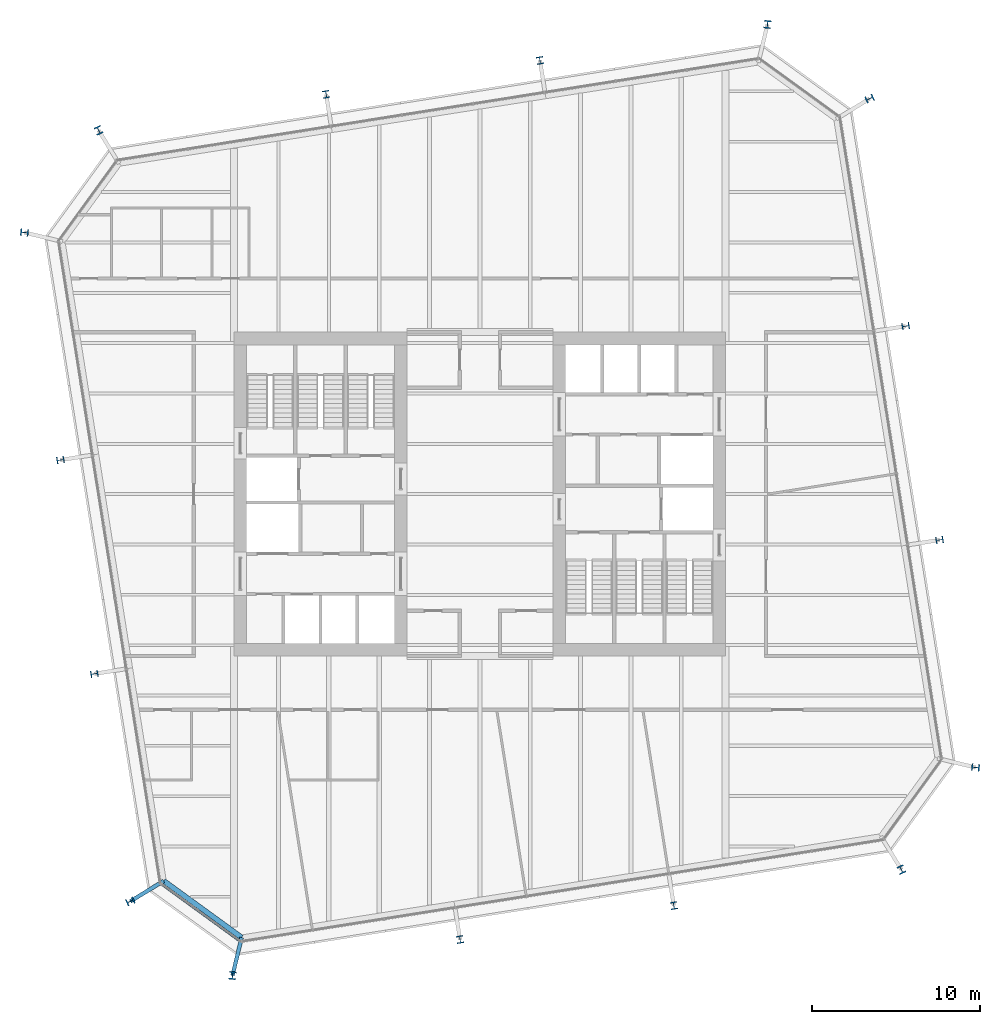
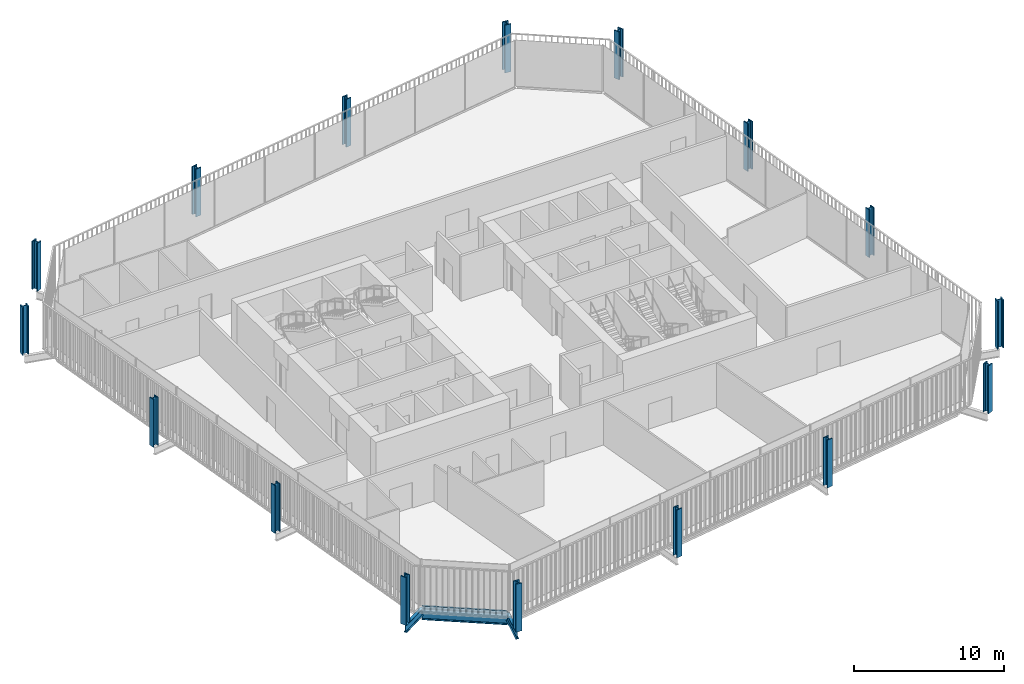
# One storey, part 1 of 21: 16 columns, 3 beams, 1 member, 1 element without a shape of its own.
"""IFC4 building model written with IfcOpenShell, lengths in metres."""

from ifc_helpers import new_model, si_unit, direction, frame, origin, origin_2d, place, context, subcontext, project, spatial, rectangle, i_section, extrude, material, layer, layer_set, material_profile, profile_set, type_object, element, aggregate, save


model = new_model("IFC4")

# Units and contexts
model_context = context("Model", 3, precision=1e-05, world=origin(), true_north=direction((0.0, 1.0)))
body_context = subcontext(model_context, "Body", "Model", "MODEL_VIEW")
ifc_project = project(units=[si_unit("LENGTHUNIT", "METRE"), si_unit("AREAUNIT", "SQUARE_METRE"), si_unit("VOLUMEUNIT", "CUBIC_METRE"), si_unit("PLANEANGLEUNIT", "RADIAN"), si_unit("MASSUNIT", "GRAM", prefix="KILO")], contexts=[model_context])

# Site, building, storey
site_placement = place(None, origin())
site = spatial("IfcSite", under=ifc_project, at=site_placement, CompositionType="ELEMENT")
building_placement = place(site_placement, origin())
building = spatial("IfcBuilding", under=site, at=building_placement, Name="Millrace Tower", CompositionType="ELEMENT")
storey_placement = place(building_placement, frame((0.0, 0.0, 191.699951171875)))
storey = spatial("IfcBuildingStorey", under=building, at=storey_placement, Name="L43", CompositionType="ELEMENT", Elevation=191.699951171875)

# Columns
ifc_material_1 = material(Name="Steel ASTM A913 Grade 65", Category="steel")
ifc_material_profile_1 = material_profile(ifc_material_1, i_section(OverallWidth=0.419189453125, OverallDepth=0.45458984375, WebThickness=0.042236328125, FlangeThickness=0.067626953125, FilletRadius=0.01513671875, at=origin_2d()))
ifc_profile_set_1 = profile_set([ifc_material_profile_1], Name="Steel ASTM A913 Grade 65")
column_type_1 = type_object("IfcColumnType", Name="Exoskeleton column W14x370", PredefinedType="COLUMN", material=ifc_profile_set_1)
for number, where, z_axis, x_axis, name in (
    (1, (-1.181396484375, -26.545166015625, 0.0), (0.0, 0.0, 1.0), (0.987688339156, 0.156434474125, 0.0), "COL-C-L43-X03"),
    (2, (11.5595703125, -24.527099609375, 0.0), (0.0, 0.0, 1.0), (0.987688338239, 0.156434479917, 0.0), "COL-C-L43-X04"),
    (3, (27.39501953125, -2.7314453125, 0.0), (0.0, 0.0, 1.0), (-0.156434474125, 0.987688339156, 0.0), "COL-C-L43-X07"),
    (4, (25.376953125, 10.009765625, 0.0), (0.0, 0.0, 1.0), (-0.156434479917, 0.987688338239, 0.0), "COL-C-L43-X08"),
    (5, (3.58154296875, 25.844970703125, 0.0), (0.0, 0.0, 1.0), (-0.987688339156, -0.156434474125, 0.0), "COL-C-L43-X11"),
    (6, (-9.15966796875, 23.8271484375, 0.0), (0.0, 0.0, 1.0), (-0.987688338239, -0.156434479917, 0.0), "COL-C-L43-X12"),
    (7, (-24.9951171875, 2.031494140625, 0.0), (0.0, 0.0, 1.0), (0.156434474125, -0.987688339156, 0.0), "COL-C-L43-X15"),
    (8, (-22.97705078125, -10.709716796875, 0.0), (0.0, 0.0, 1.0), (0.156434479917, -0.987688338239, 0.0), "COL-C-L43-X16"),
):
    element("IfcColumn", number, at=place(storey_placement, frame(where, z_axis=z_axis, x_axis=x_axis)), inside=storey, type_object=column_type_1, Name=name, PredefinedType="COLUMN", context=body_context, shape_type="SweptSolid", body=[
        extrude(i_section(OverallWidth=0.419189453125, OverallDepth=0.45458984375, WebThickness=0.042236328125, FlangeThickness=0.067626953125, FilletRadius=0.01513671875, at=origin_2d()), origin(), (0.0, 0.0, 1.0), 3.900146484375),
    ])
ifc_material_2 = material(Name="Steel ASTM A913 Grade 65", Category="steel")
ifc_material_profile_2 = material_profile(ifc_material_2, i_section(OverallWidth=0.4267578125, OverallDepth=0.482666015625, WebThickness=0.05126953125, FlangeThickness=0.08154296875, FilletRadius=0.01513671875, at=origin_2d()))
ifc_profile_set_2 = profile_set([ifc_material_profile_2], Name="Steel ASTM A913 Grade 65")
column_type_2 = type_object("IfcColumnType", Name="Exoskeleton column W14x455", PredefinedType="COLUMN", material=ifc_profile_set_2)
for number, where, z_axis, x_axis, name in (
    (9, (-20.829345703125, -24.26904296875, 0.0), (0.0, 0.0, 1.0), (0.416401106568, -0.909181015227, 0.0), "COL-C-L43-X01"),
    (10, (-14.740966796875, -28.692626953125, 0.0), (0.0, 0.0, 1.0), (0.993357548409, -0.115068592665, 0.0), "COL-C-L43-X02"),
    (11, (25.119140625, -22.37939453125, 0.0), (0.0, 0.0, 1.0), (0.909181015227, 0.416401106568, 0.0), "COL-C-L43-X05"),
    (12, (29.542724609375, -16.291015625, 0.0), (0.0, 0.0, 1.0), (0.115068592665, 0.993357548409, 0.0), "COL-C-L43-X06"),
    (13, (23.2294921875, 23.569091796875, 0.0), (0.0, 0.0, 1.0), (-0.416401106568, 0.909181015227, 0.0), "COL-C-L43-X09"),
    (14, (17.140869140625, 27.99267578125, 0.0), (0.0, 0.0, 1.0), (-0.993357548409, 0.115068592665, 0.0), "COL-C-L43-X10"),
    (15, (-22.718994140625, 21.679443359375, 0.0), (0.0, 0.0, 1.0), (-0.909181015227, -0.416401106568, 0.0), "COL-C-L43-X13"),
    (16, (-27.142578125, 15.5908203125, 0.0), (0.0, 0.0, 1.0), (-0.115068592665, -0.993357548409, 0.0), "COL-C-L43-X14"),
):
    element("IfcColumn", number, at=place(storey_placement, frame(where, z_axis=z_axis, x_axis=x_axis)), inside=storey, type_object=column_type_2, Name=name, PredefinedType="COLUMN", context=body_context, shape_type="SweptSolid", body=[
        extrude(i_section(OverallWidth=0.4267578125, OverallDepth=0.482666015625, WebThickness=0.05126953125, FlangeThickness=0.08154296875, FilletRadius=0.01513671875, at=origin_2d()), origin(), (0.0, 0.0, 1.0), 3.900146484375),
    ])

# Curtain wall, member
ifc_material_3 = material(Name="Aluminium and glass", Category="aluminium")
ifc_layer = layer(ifc_material_3, 0.14990234375)
ifc_layer_set = layer_set([ifc_layer], Name="Aluminium and glass")
curtain_wall_type = type_object("IfcCurtainWallType", Name="CW-1 office vision curtain wall", PredefinedType="NOTDEFINED", material=ifc_layer_set)
curtain_wall_placement = place(storey_placement, origin())
curtain_wall = element("IfcCurtainWall", 17, at=curtain_wall_placement, inside=storey, type_object=curtain_wall_type, Name="Curtain wall C-F01 L43", PredefinedType="NOTDEFINED")
ifc_material_4 = material(Name="Aluminium", Category="aluminium")
ifc_material_profile_3 = material_profile(ifc_material_4, rectangle(XDim=0.14990234375, YDim=0.139892578125, at=origin_2d()))
ifc_profile_set_3 = profile_set([ifc_material_profile_3], Name="Aluminium")
member_type = type_object("IfcMemberType", Name="CW-1 office vision curtain wall transom", PredefinedType="USERDEFINED", material=ifc_profile_set_3)
member_placement = place(storey_placement, frame((-18.94677734375, -23.25732421875, 0.070068359375), z_axis=(0.808998591139, -0.587810581339, 0.0), x_axis=(0.587810581339, 0.808998591139, 0.0)))
member = element("IfcMember", 18, at=member_placement, type_object=member_type, Name="CW1 transom C-F01.1", ObjectType="TRANSOM", PredefinedType="USERDEFINED", context=body_context, shape_type="SweptSolid", body=[
    extrude(rectangle(XDim=0.14990234375, YDim=0.139892578125, at=origin_2d()), origin(), (0.0, 0.0, 1.0), 5.6689453125),
])
aggregate(curtain_wall, [member])

# Beams
ifc_material_5 = material(Name="Steel ASTM A992 Grade 50", Category="steel")
ifc_material_profile_4 = material_profile(ifc_material_5, i_section(OverallWidth=0.23046875, OverallDepth=0.6171875, WebThickness=0.01318359375, FlangeThickness=0.022216796875, FilletRadius=0.012939453125, at=origin_2d()))
ifc_profile_set_4 = profile_set([ifc_material_profile_4], Name="Steel ASTM A992 Grade 50")
beam_type_1 = type_object("IfcBeamType", Name="Link beam W24x94", PredefinedType="BEAM", material=ifc_profile_set_4)
for number, where, z_axis, x_axis, name in (
    (19, (-18.841796875, -23.051025390625, -0.468505859375), (-0.852631355792, -0.522512938711, 0.0), (0.522512938711, -0.852631355792, 0.0), "LNK-C-L43-S1-01"),
    (20, (-14.19677734375, -26.426025390625, -0.468505859375), (-0.233456138164, -0.972367333652, 0.0), (0.972367333652, -0.233456138164, 0.0), "LNK-C-L43-S1-16"),
):
    element("IfcBeam", number, at=place(storey_placement, frame(where, z_axis=z_axis, x_axis=x_axis)), inside=storey, type_object=beam_type_1, Name=name, PredefinedType="BEAM", context=body_context, shape_type="SweptSolid", body=[
        extrude(i_section(OverallWidth=0.23046875, OverallDepth=0.6171875, WebThickness=0.01318359375, FlangeThickness=0.022216796875, FilletRadius=0.012939453125, at=origin_2d()), origin(), (0.0, 0.0, 1.0), 2.3310546875),
    ])
ifc_material_6 = material(Name="Steel ASTM A992 Grade 50", Category="steel")
ifc_material_profile_5 = material_profile(ifc_material_6, i_section(OverallWidth=0.307373046875, OverallDepth=0.927001953125, WebThickness=0.01953125, FlangeThickness=0.031982421875, FilletRadius=0.01904296875, at=origin_2d()))
ifc_profile_set_5 = profile_set([ifc_material_profile_5], Name="Steel ASTM A992 Grade 50")
beam_type_2 = type_object("IfcBeamType", Name="Ring beam short span W36x194", PredefinedType="SPANDREL", material=ifc_profile_set_5)
beam_placement = place(storey_placement, frame((-14.19677734375, -26.426025390625, -0.62353515625), z_axis=(-0.80900078054, 0.587807568074, 0.0), x_axis=(-0.587807568074, -0.80900078054, 0.0)))
element("IfcBeam", 21, at=beam_placement, inside=storey, type_object=beam_type_2, Name="RNG-C-L43-S1-16", PredefinedType="SPANDREL", context=body_context, shape_type="SweptSolid", body=[
    extrude(i_section(OverallWidth=0.307373046875, OverallDepth=0.927001953125, WebThickness=0.01953125, FlangeThickness=0.031982421875, FilletRadius=0.01904296875, at=origin_2d()), origin(), (0.0, 0.0, 1.0), 5.74169921875),
])

save(model, "model.ifc")
